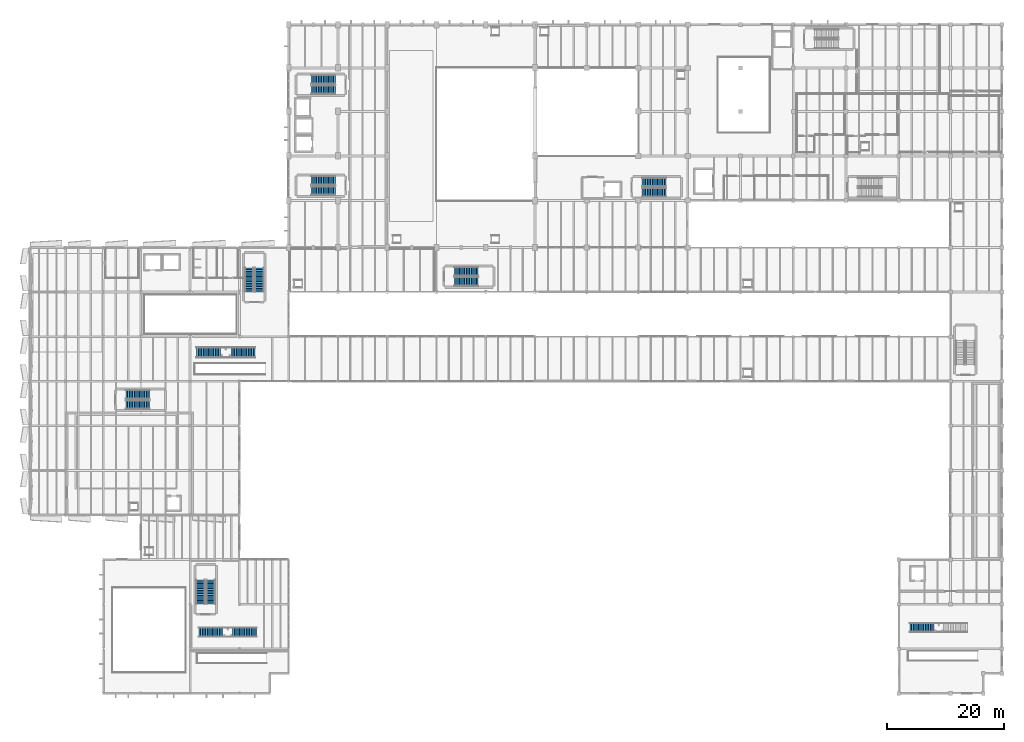
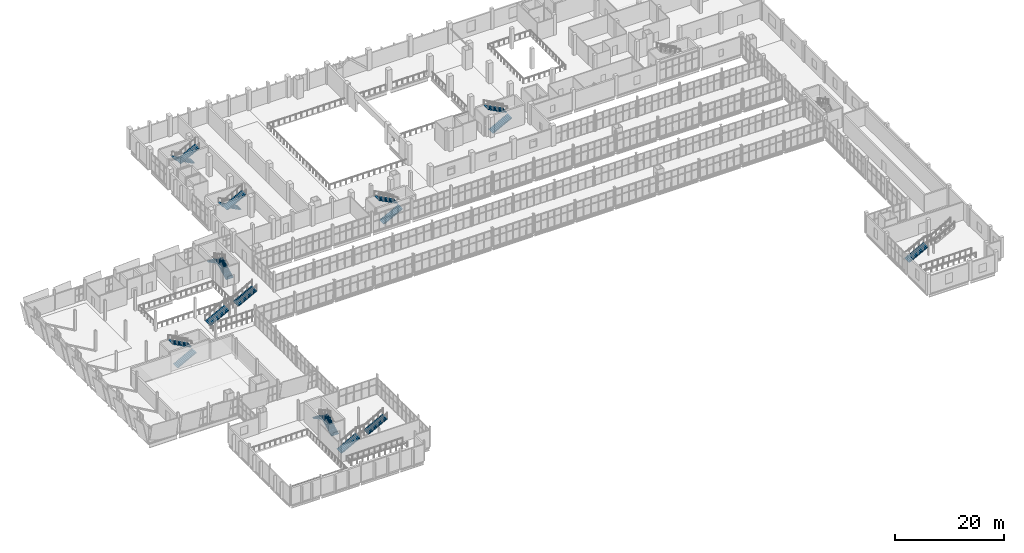
# One storey, part 159 of 172: 19 stair flights, 10 elements without a shape of their own.
"""IFC4 building model written with IfcOpenShell, lengths in metres."""

import ifcopenshell
import ifcopenshell.guid

model = None  # the IFC model being written
_history = None  # IfcOwnerHistory: only IFC2X3 demands one
_inside = {}  # id of a spatial element -> (the spatial element, [elements in it])
_under = {}  # id of a project, library or spatial element -> (it, [spatial elements below it])
_declared = {}  # id of a project -> (the project, [libraries it declares])
_typed = {}  # id of a type object -> (the type object, [elements of that type])
_made_of = {}  # id of a material, layer set ... -> (it, [elements and type objects made of it])


def new_model(schema):
    """Start an empty IFC model of exactly this schema.

    Asked for "IFC4X3", IfcOpenShell would pick the latest addendum, in which some entities
    have other attributes; the version numbers below select the first issue.
    IFC2X3 requires an IfcOwnerHistory on every rooted entity: one is made here for all.
    """
    global model, _history
    if schema == "IFC4X3":
        model = ifcopenshell.file(schema_version=(4, 3, 0, 0))
    else:
        model = ifcopenshell.file(schema=schema)
    _inside.clear()
    _under.clear()
    _declared.clear()
    _typed.clear()
    _made_of.clear()
    _history = None
    if model.schema == "IFC2X3":
        org = make("IfcOrganization", Name="unknown")
        user = make(
            "IfcPersonAndOrganization",
            ThePerson=make("IfcPerson", FamilyName="unknown"),
            TheOrganization=org,
        )
        app = make(
            "IfcApplication",
            ApplicationDeveloper=org,
            Version="unknown",
            ApplicationFullName="unknown",
            ApplicationIdentifier="unknown",
        )
        _history = make(
            "IfcOwnerHistory",
            OwningUser=user,
            OwningApplication=app,
            ChangeAction="ADDED",
            CreationDate=0,
        )
    return model


def make(cls, **values):
    """One entity of the class cls with the attributes given. An attribute that is None is left unset."""
    return model.create_entity(
        cls, **{name: value for name, value in values.items() if value is not None}
    )


def rooted(cls, **values):
    """An entity with a GlobalId (a new one), such as an element, a storey or a relation."""
    return make(cls, GlobalId=ifcopenshell.guid.new(), OwnerHistory=_history, **values)


def si_unit(unit_type, name, prefix=None):
    """IfcSIUnit, for example si_unit("LENGTHUNIT", "METRE", prefix="MILLI")."""
    return make("IfcSIUnit", UnitType=unit_type, Prefix=prefix, Name=name)


def assignment(units):
    """IfcUnitAssignment: the units of a project."""
    return None if units is None else make("IfcUnitAssignment", Units=units)


def point(xyz):
    """IfcCartesianPoint."""
    return None if xyz is None else make("IfcCartesianPoint", Coordinates=xyz)


def direction(xyz):
    """IfcDirection."""
    return None if xyz is None else make("IfcDirection", DirectionRatios=xyz)


def frame(location, z_axis=None, x_axis=None):
    """IfcAxis2Placement3D, a coordinate frame: its origin and axes. An axis left out is left unset."""
    return make(
        "IfcAxis2Placement3D",
        Location=point(location),
        Axis=direction(z_axis),
        RefDirection=direction(x_axis),
    )


def origin():
    """The frame at (0, 0, 0) with its axes left unset."""
    return frame((0.0, 0.0, 0.0))


def place(relative_to, where):
    """IfcLocalPlacement: puts the frame where relative to a parent placement (None: the world)."""
    return make(
        "IfcLocalPlacement", PlacementRelTo=relative_to, RelativePlacement=where
    )


def context(
    kind, dimensions, precision=None, world=None, true_north=None, identifier=None
):
    """IfcGeometricRepresentationContext, for example the 3D "Model" context."""
    return make(
        "IfcGeometricRepresentationContext",
        ContextIdentifier=identifier,
        ContextType=kind,
        CoordinateSpaceDimension=dimensions,
        Precision=precision,
        WorldCoordinateSystem=world,
        TrueNorth=true_north,
    )


def subcontext(parent, identifier, kind, view, scale=None):
    """IfcGeometricRepresentationSubContext, for example "Body" below "Model"."""
    return make(
        "IfcGeometricRepresentationSubContext",
        ContextIdentifier=identifier,
        ContextType=kind,
        ParentContext=parent,
        TargetScale=scale,
        TargetView=view,
    )


def project(units=None, contexts=None):
    """IfcProject with its units and contexts."""
    return rooted(
        "IfcProject",
        Name="project",
        RepresentationContexts=contexts,
        UnitsInContext=assignment(units),
    )


def spatial(cls, under=None, at=None, **own):
    """A site, building, storey or space (cls), placed at a placement, below another one or the project."""
    s = rooted(cls, ObjectPlacement=at, **own)
    if under is not None:
        _under.setdefault(under.id(), (under, []))[1].append(s)
    return s


def polyline(points):
    """IfcPolyline through the points."""
    return make("IfcPolyline", Points=[point(p) for p in points])


def outline(outer, holes=None, kind="AREA"):
    """IfcArbitraryClosedProfileDef: a profile drawn as a closed curve; with holes, ...WithVoids."""
    if holes is None:
        return make("IfcArbitraryClosedProfileDef", ProfileType=kind, OuterCurve=outer)
    return make(
        "IfcArbitraryProfileDefWithVoids",
        ProfileType=kind,
        OuterCurve=outer,
        InnerCurves=holes,
    )


def extrude(swept, where, along, depth):
    """IfcExtrudedAreaSolid: the profile swept, set in the frame where, extruded along a direction by depth."""
    return make(
        "IfcExtrudedAreaSolid",
        SweptArea=swept,
        Position=where,
        ExtrudedDirection=direction(along),
        Depth=depth,
    )


def shape(context_of_items, identifier, shape_type, items):
    """IfcShapeRepresentation: the items that make up one representation, for example the "Body"."""
    return make(
        "IfcShapeRepresentation",
        ContextOfItems=context_of_items,
        RepresentationIdentifier=identifier,
        RepresentationType=shape_type,
        Items=items,
    )


def material(Name=None, Category=None):
    """IfcMaterial."""
    return make("IfcMaterial", Name=Name, Category=Category)


def layer(
    of_material, thickness, ventilated=None, Name=None, Category=None, Priority=None
):
    """IfcMaterialLayer: one layer of a wall or slab, of a material (None: an air gap)."""
    return make(
        "IfcMaterialLayer",
        Material=of_material,
        LayerThickness=thickness,
        IsVentilated=ventilated,
        Name=Name,
        Category=Category,
        Priority=Priority,
    )


def layer_set(layers, Name=None):
    """IfcMaterialLayerSet."""
    return make("IfcMaterialLayerSet", MaterialLayers=layers, LayerSetName=Name)


def made_of(thing, what):
    """Note that an element or type object is made of a material, layer set ...; save() writes the relation."""
    if what is not None:
        _made_of.setdefault(what.id(), (what, []))[1].append(thing)
    return thing


def type_object(cls, material=None, **own):
    """A type object (cls), such as IfcWallType, which elements share."""
    return made_of(rooted(cls, **own), material)


def element(
    cls,
    number,
    at=None,
    inside=None,
    cuts=None,
    type_object=None,
    material=None,
    context=None,
    identifier="Body",
    shape_type=None,
    held_by="IfcProductDefinitionShape",
    body=None,
    shapes=None,
    **own,
):
    """One element of the class cls, such as IfcWall. Its Tag is "e" and its number.

    at: its placement. inside: the storey or other place that contains it. cuts: it is an
    opening in that element (IfcRelVoidsElement). A single representation is given by context,
    identifier, shape_type and body (its items); several are given by shapes. held_by: the class
    of the entity that holds the representations. save() writes the other relations.
    """
    e = rooted(cls, Tag="e%d" % number, ObjectPlacement=at, **own)
    if body is not None:
        shapes = [shape(context, identifier, shape_type, body)]
    if shapes is not None:
        e.Representation = make(held_by, Representations=shapes)
    if inside is not None:
        _inside.setdefault(inside.id(), (inside, []))[1].append(e)
    if cuts is not None:
        rooted(
            "IfcRelVoidsElement", RelatingBuildingElement=cuts, RelatedOpeningElement=e
        )
    if type_object is not None:
        _typed.setdefault(type_object.id(), (type_object, []))[1].append(e)
    return made_of(e, material)


def aggregate(whole, parts):
    """IfcRelAggregates: a whole, such as a stair, and the parts it consists of."""
    return rooted("IfcRelAggregates", RelatingObject=whole, RelatedObjects=parts)


def save(model, path):
    """Write the relations noted so far, then the file.

    IfcRelAggregates (storeys below a building ...), IfcRelContainedInSpatialStructure (elements
    in a storey), IfcRelDefinesByType, IfcRelAssociatesMaterial and IfcRelDeclares: one each for
    every whole, place, type object, material and project.
    """
    for whole, parts in _under.values():
        aggregate(whole, parts)
    for where, things in _inside.values():
        rooted(
            "IfcRelContainedInSpatialStructure",
            RelatedElements=things,
            RelatingStructure=where,
        )
    for kind, things in _typed.values():
        rooted("IfcRelDefinesByType", RelatedObjects=things, RelatingType=kind)
    for what, things in _made_of.values():
        rooted("IfcRelAssociatesMaterial", RelatedObjects=things, RelatingMaterial=what)
    for by, libraries in _declared.values():
        rooted("IfcRelDeclares", RelatingContext=by, RelatedDefinitions=libraries)
    model.write(path)


model = new_model("IFC4")

# Units and contexts
model_context = context("Model", 3, precision=1e-05, world=origin(), true_north=direction((0.0, 1.0)))
body_context = subcontext(model_context, "Body", "Model", "MODEL_VIEW")
ifc_project = project(units=[si_unit("LENGTHUNIT", "METRE"), si_unit("AREAUNIT", "SQUARE_METRE"), si_unit("VOLUMEUNIT", "CUBIC_METRE"), si_unit("PLANEANGLEUNIT", "RADIAN"), si_unit("MASSUNIT", "GRAM", prefix="KILO")], contexts=[model_context])

# Site, building, storey
site_placement = place(None, origin())
site = spatial("IfcSite", under=ifc_project, at=site_placement, CompositionType="ELEMENT")
building_placement = place(site_placement, origin())
building = spatial("IfcBuilding", under=site, at=building_placement, Name="Shengluoqiao Park Theatre", CompositionType="ELEMENT")
storey_placement = place(building_placement, frame((0.0, 0.0, 5.39990234375)))
storey = spatial("IfcBuildingStorey", under=building, at=storey_placement, Name="L01", CompositionType="ELEMENT", Elevation=5.39990234375)

# Stair, stair flights
ifc_material_1 = material(Name="Concrete C40", Category="concrete")
stair_type_1 = type_object("IfcStairType", Name="INT-STR-CORE", PredefinedType="HALF_TURN_STAIR", material=ifc_material_1)
stair_1_placement = place(storey_placement, origin())
stair_1 = element("IfcStair", 1, at=stair_1_placement, inside=storey, type_object=stair_type_1, Name="L01 West Foyer Escape Stair 01", PredefinedType="HALF_TURN_STAIR")
ifc_layer_1 = layer(ifc_material_1, 0.159912109375, Name="Concrete C40")
ifc_layer_set_1 = layer_set([ifc_layer_1], Name="Concrete C40")
stair_flight_type_1 = type_object("IfcStairFlightType", Name="INT-SFL-156", PredefinedType="STRAIGHT", material=ifc_layer_set_1)
stair_flight_1_placement = place(storey_placement, frame((39.419921875, 68.449951171875, 0.0), z_axis=(0.0, 0.0, 1.0), x_axis=(0.0, 1.0, 0.0)))
stair_flight_1 = element("IfcStairFlight", 2, at=stair_flight_1_placement, type_object=stair_flight_type_1, Name="ST-01 flight 1", NumberOfRisers=15, NumberOfTreads=14, PredefinedType="STRAIGHT", RiserHeight=0.153333333, TreadLength=0.29, context=body_context, shape_type="SweptSolid", body=[
    extrude(outline(polyline([(0.0, 0.0), (0.0, 0.1533203125), (0.2900390625, 0.1533203125), (0.2900390625, 0.306640625), (0.580078125, 0.306640625), (0.580078125, 0.4599609375), (0.8701171875, 0.4599609375), (0.8701171875, 0.61328125), (1.159912109375, 0.61328125), (1.159912109375, 0.7666015625), (1.449951171875, 0.7666015625), (1.449951171875, 0.919921875), (1.739990234375, 0.919921875), (1.739990234375, 1.0732421875), (2.030029296875, 1.0732421875), (2.030029296875, 1.2265625), (2.320068359375, 1.2265625), (2.320068359375, 1.3798828125), (2.610107421875, 1.3798828125), (2.610107421875, 1.533447265625), (2.89990234375, 1.533447265625), (2.89990234375, 1.686767578125), (3.18994140625, 1.686767578125), (3.18994140625, 1.840087890625), (3.47998046875, 1.840087890625), (3.47998046875, 1.993408203125), (3.77001953125, 1.993408203125), (3.77001953125, 2.146728515625), (4.06005859375, 2.146728515625), (4.06005859375, 2.300048828125), (4.06005859375, 1.97705078125), (0.32080078125, 0.0), (0.0, 0.0)])), frame((0.0, 0.780029296875, 0.0), z_axis=(0.0, -1.0, 0.0), x_axis=(1.0, 0.0, 0.0)), (0.0, 0.0, 1.0), 1.56005859375),
])
stair_flight_2_placement = place(storey_placement, frame((37.679931640625, 72.510009765625, 2.300048828125), z_axis=(0.0, 0.0, 1.0), x_axis=(0.0, -1.0, 0.0)))
stair_flight_2 = element("IfcStairFlight", 3, at=stair_flight_2_placement, type_object=stair_flight_type_1, Name="ST-01 flight 2", NumberOfRisers=15, NumberOfTreads=14, PredefinedType="STRAIGHT", RiserHeight=0.153333333, TreadLength=0.29, context=body_context, shape_type="SweptSolid", body=[
    extrude(outline(polyline([(0.0, 0.0), (0.0, 0.1533203125), (0.2900390625, 0.1533203125), (0.2900390625, 0.306640625), (0.580078125, 0.306640625), (0.580078125, 0.4599609375), (0.8701171875, 0.4599609375), (0.8701171875, 0.61328125), (1.159912109375, 0.61328125), (1.159912109375, 0.7666015625), (1.449951171875, 0.7666015625), (1.449951171875, 0.919921875), (1.739990234375, 0.919921875), (1.739990234375, 1.0732421875), (2.030029296875, 1.0732421875), (2.030029296875, 1.2265625), (2.320068359375, 1.2265625), (2.320068359375, 1.3798828125), (2.610107421875, 1.3798828125), (2.610107421875, 1.533447265625), (2.89990234375, 1.533447265625), (2.89990234375, 1.686767578125), (3.18994140625, 1.686767578125), (3.18994140625, 1.840087890625), (3.47998046875, 1.840087890625), (3.47998046875, 1.993408203125), (3.77001953125, 1.993408203125), (3.77001953125, 2.146728515625), (4.06005859375, 2.146728515625), (4.06005859375, 2.300048828125), (4.06005859375, 1.97705078125), (0.32080078125, 0.0), (0.0, 0.0)])), frame((0.0, 0.780029296875, 0.0), z_axis=(0.0, -1.0, 0.0), x_axis=(1.0, 0.0, 0.0)), (0.0, 0.0, 1.0), 1.56005859375),
])
aggregate(stair_1, [stair_flight_1, stair_flight_2])

stair_2_placement = place(storey_placement, origin())
stair_2 = element("IfcStair", 4, at=stair_2_placement, inside=storey, type_object=stair_type_1, Name="L01 Auditorium South-West Escape Stair 02", PredefinedType="HALF_TURN_STAIR")
stair_flight_3_placement = place(storey_placement, frame((52.35009765625, 87.419921875, 0.0), z_axis=(0.0, 0.0, 1.0), x_axis=(-1.0, 0.0, 0.0)))
stair_flight_3 = element("IfcStairFlight", 5, at=stair_flight_3_placement, type_object=stair_flight_type_1, Name="ST-02 flight 1", NumberOfRisers=15, NumberOfTreads=14, PredefinedType="STRAIGHT", RiserHeight=0.153333333, TreadLength=0.29, context=body_context, shape_type="SweptSolid", body=[
    extrude(outline(polyline([(0.0, 0.0), (0.0, 0.1533203125), (0.2900390625, 0.1533203125), (0.2900390625, 0.306640625), (0.580078125, 0.306640625), (0.580078125, 0.4599609375), (0.8701171875, 0.4599609375), (0.8701171875, 0.61328125), (1.159912109375, 0.61328125), (1.159912109375, 0.7666015625), (1.449951171875, 0.7666015625), (1.449951171875, 0.919921875), (1.739990234375, 0.919921875), (1.739990234375, 1.0732421875), (2.030029296875, 1.0732421875), (2.030029296875, 1.2265625), (2.320068359375, 1.2265625), (2.320068359375, 1.3798828125), (2.610107421875, 1.3798828125), (2.610107421875, 1.533447265625), (2.89990234375, 1.533447265625), (2.89990234375, 1.686767578125), (3.18994140625, 1.686767578125), (3.18994140625, 1.840087890625), (3.47998046875, 1.840087890625), (3.47998046875, 1.993408203125), (3.77001953125, 1.993408203125), (3.77001953125, 2.146728515625), (4.06005859375, 2.146728515625), (4.06005859375, 2.300048828125), (4.06005859375, 1.97705078125), (0.32080078125, 0.0), (0.0, 0.0)])), frame((0.0, 0.780029296875, 0.0), z_axis=(0.0, -1.0, 0.0), x_axis=(1.0, 0.0, 0.0)), (0.0, 0.0, 1.0), 1.56005859375),
])
stair_flight_4_placement = place(storey_placement, frame((48.2900390625, 85.679931640625, 2.300048828125), z_axis=(0.0, 0.0, 1.0), x_axis=(1.0, 0.0, 0.0)))
stair_flight_4 = element("IfcStairFlight", 6, at=stair_flight_4_placement, type_object=stair_flight_type_1, Name="ST-02 flight 2", NumberOfRisers=15, NumberOfTreads=14, PredefinedType="STRAIGHT", RiserHeight=0.153333333, TreadLength=0.29, context=body_context, shape_type="SweptSolid", body=[
    extrude(outline(polyline([(0.0, 0.0), (0.0, 0.1533203125), (0.2900390625, 0.1533203125), (0.2900390625, 0.306640625), (0.580078125, 0.306640625), (0.580078125, 0.4599609375), (0.8701171875, 0.4599609375), (0.8701171875, 0.61328125), (1.159912109375, 0.61328125), (1.159912109375, 0.7666015625), (1.449951171875, 0.7666015625), (1.449951171875, 0.919921875), (1.739990234375, 0.919921875), (1.739990234375, 1.0732421875), (2.030029296875, 1.0732421875), (2.030029296875, 1.2265625), (2.320068359375, 1.2265625), (2.320068359375, 1.3798828125), (2.610107421875, 1.3798828125), (2.610107421875, 1.533447265625), (2.89990234375, 1.533447265625), (2.89990234375, 1.686767578125), (3.18994140625, 1.686767578125), (3.18994140625, 1.840087890625), (3.47998046875, 1.840087890625), (3.47998046875, 1.993408203125), (3.77001953125, 1.993408203125), (3.77001953125, 2.146728515625), (4.06005859375, 2.146728515625), (4.06005859375, 2.300048828125), (4.06005859375, 1.97705078125), (0.32080078125, 0.0), (0.0, 0.0)])), frame((0.0, 0.780029296875, 0.0), z_axis=(0.0, -1.0, 0.0), x_axis=(1.0, 0.0, 0.0)), (0.0, 0.0, 1.0), 1.56005859375),
])
aggregate(stair_2, [stair_flight_3, stair_flight_4])

stair_3_placement = place(storey_placement, origin())
stair_3 = element("IfcStair", 7, at=stair_3_placement, inside=storey, type_object=stair_type_1, Name="L01 Auditorium North-West Escape Stair 03", PredefinedType="HALF_TURN_STAIR")
stair_flight_5_placement = place(storey_placement, frame((52.35009765625, 104.6201171875, 0.0), z_axis=(0.0, 0.0, 1.0), x_axis=(-1.0, 0.0, 0.0)))
stair_flight_5 = element("IfcStairFlight", 8, at=stair_flight_5_placement, type_object=stair_flight_type_1, Name="ST-03 flight 1", NumberOfRisers=15, NumberOfTreads=14, PredefinedType="STRAIGHT", RiserHeight=0.153333333, TreadLength=0.29, context=body_context, shape_type="SweptSolid", body=[
    extrude(outline(polyline([(0.0, 0.0), (0.0, 0.1533203125), (0.2900390625, 0.1533203125), (0.2900390625, 0.306640625), (0.580078125, 0.306640625), (0.580078125, 0.4599609375), (0.8701171875, 0.4599609375), (0.8701171875, 0.61328125), (1.159912109375, 0.61328125), (1.159912109375, 0.7666015625), (1.449951171875, 0.7666015625), (1.449951171875, 0.919921875), (1.739990234375, 0.919921875), (1.739990234375, 1.0732421875), (2.030029296875, 1.0732421875), (2.030029296875, 1.2265625), (2.320068359375, 1.2265625), (2.320068359375, 1.3798828125), (2.610107421875, 1.3798828125), (2.610107421875, 1.533447265625), (2.89990234375, 1.533447265625), (2.89990234375, 1.686767578125), (3.18994140625, 1.686767578125), (3.18994140625, 1.840087890625), (3.47998046875, 1.840087890625), (3.47998046875, 1.993408203125), (3.77001953125, 1.993408203125), (3.77001953125, 2.146728515625), (4.06005859375, 2.146728515625), (4.06005859375, 2.300048828125), (4.06005859375, 1.97705078125), (0.32080078125, 0.0), (0.0, 0.0)])), frame((0.0, 0.780029296875, 0.0), z_axis=(0.0, -1.0, 0.0), x_axis=(1.0, 0.0, 0.0)), (0.0, 0.0, 1.0), 1.56005859375),
])
stair_flight_6_placement = place(storey_placement, frame((48.2900390625, 102.8798828125, 2.300048828125), z_axis=(0.0, 0.0, 1.0), x_axis=(1.0, 0.0, 0.0)))
stair_flight_6 = element("IfcStairFlight", 9, at=stair_flight_6_placement, type_object=stair_flight_type_1, Name="ST-03 flight 2", NumberOfRisers=15, NumberOfTreads=14, PredefinedType="STRAIGHT", RiserHeight=0.153333333, TreadLength=0.29, context=body_context, shape_type="SweptSolid", body=[
    extrude(outline(polyline([(0.0, 0.0), (0.0, 0.1533203125), (0.2900390625, 0.1533203125), (0.2900390625, 0.306640625), (0.580078125, 0.306640625), (0.580078125, 0.4599609375), (0.8701171875, 0.4599609375), (0.8701171875, 0.61328125), (1.159912109375, 0.61328125), (1.159912109375, 0.7666015625), (1.449951171875, 0.7666015625), (1.449951171875, 0.919921875), (1.739990234375, 0.919921875), (1.739990234375, 1.0732421875), (2.030029296875, 1.0732421875), (2.030029296875, 1.2265625), (2.320068359375, 1.2265625), (2.320068359375, 1.3798828125), (2.610107421875, 1.3798828125), (2.610107421875, 1.533447265625), (2.89990234375, 1.533447265625), (2.89990234375, 1.686767578125), (3.18994140625, 1.686767578125), (3.18994140625, 1.840087890625), (3.47998046875, 1.840087890625), (3.47998046875, 1.993408203125), (3.77001953125, 1.993408203125), (3.77001953125, 2.146728515625), (4.06005859375, 2.146728515625), (4.06005859375, 2.300048828125), (4.06005859375, 1.97705078125), (0.32080078125, 0.0), (0.0, 0.0)])), frame((0.0, 0.780029296875, 0.0), z_axis=(0.0, -1.0, 0.0), x_axis=(1.0, 0.0, 0.0)), (0.0, 0.0, 1.0), 1.56005859375),
])
aggregate(stair_3, [stair_flight_5, stair_flight_6])

stair_4_placement = place(storey_placement, origin())
stair_4 = element("IfcStair", 10, at=stair_4_placement, inside=storey, type_object=stair_type_1, Name="L01 Studio and Black-Box Escape Stair 04", PredefinedType="HALF_TURN_STAIR")
stair_flight_7_placement = place(storey_placement, frame((31.1201171875, 15.25, 0.0), z_axis=(0.0, 0.0, 1.0), x_axis=(0.0, 1.0, 0.0)))
stair_flight_7 = element("IfcStairFlight", 11, at=stair_flight_7_placement, type_object=stair_flight_type_1, Name="ST-04 flight 1", NumberOfRisers=15, NumberOfTreads=14, PredefinedType="STRAIGHT", RiserHeight=0.153333333, TreadLength=0.29, context=body_context, shape_type="SweptSolid", body=[
    extrude(outline(polyline([(0.0, 0.0), (0.0, 0.1533203125), (0.2900390625, 0.1533203125), (0.2900390625, 0.306640625), (0.580078125, 0.306640625), (0.580078125, 0.4599609375), (0.8701171875, 0.4599609375), (0.8701171875, 0.61328125), (1.159912109375, 0.61328125), (1.159912109375, 0.7666015625), (1.449951171875, 0.7666015625), (1.449951171875, 0.919921875), (1.739990234375, 0.919921875), (1.739990234375, 1.0732421875), (2.030029296875, 1.0732421875), (2.030029296875, 1.2265625), (2.320068359375, 1.2265625), (2.320068359375, 1.3798828125), (2.610107421875, 1.3798828125), (2.610107421875, 1.533447265625), (2.89990234375, 1.533447265625), (2.89990234375, 1.686767578125), (3.18994140625, 1.686767578125), (3.18994140625, 1.840087890625), (3.47998046875, 1.840087890625), (3.47998046875, 1.993408203125), (3.77001953125, 1.993408203125), (3.77001953125, 2.146728515625), (4.06005859375, 2.146728515625), (4.06005859375, 2.300048828125), (4.06005859375, 1.97705078125), (0.32080078125, 0.0), (0.0, 0.0)])), frame((0.0, 0.780029296875, 0.0), z_axis=(0.0, -1.0, 0.0), x_axis=(1.0, 0.0, 0.0)), (0.0, 0.0, 1.0), 1.56005859375),
])
stair_flight_8_placement = place(storey_placement, frame((29.3798828125, 19.31005859375, 2.300048828125), z_axis=(0.0, 0.0, 1.0), x_axis=(0.0, -1.0, 0.0)))
stair_flight_8 = element("IfcStairFlight", 12, at=stair_flight_8_placement, type_object=stair_flight_type_1, Name="ST-04 flight 2", NumberOfRisers=15, NumberOfTreads=14, PredefinedType="STRAIGHT", RiserHeight=0.153333333, TreadLength=0.29, context=body_context, shape_type="SweptSolid", body=[
    extrude(outline(polyline([(0.0, 0.0), (0.0, 0.1533203125), (0.2900390625, 0.1533203125), (0.2900390625, 0.306640625), (0.580078125, 0.306640625), (0.580078125, 0.4599609375), (0.8701171875, 0.4599609375), (0.8701171875, 0.61328125), (1.159912109375, 0.61328125), (1.159912109375, 0.7666015625), (1.449951171875, 0.7666015625), (1.449951171875, 0.919921875), (1.739990234375, 0.919921875), (1.739990234375, 1.0732421875), (2.030029296875, 1.0732421875), (2.030029296875, 1.2265625), (2.320068359375, 1.2265625), (2.320068359375, 1.3798828125), (2.610107421875, 1.3798828125), (2.610107421875, 1.533447265625), (2.89990234375, 1.533447265625), (2.89990234375, 1.686767578125), (3.18994140625, 1.686767578125), (3.18994140625, 1.840087890625), (3.47998046875, 1.840087890625), (3.47998046875, 1.993408203125), (3.77001953125, 1.993408203125), (3.77001953125, 2.146728515625), (4.06005859375, 2.146728515625), (4.06005859375, 2.300048828125), (4.06005859375, 1.97705078125), (0.32080078125, 0.0), (0.0, 0.0)])), frame((0.0, 0.780029296875, 0.0), z_axis=(0.0, -1.0, 0.0), x_axis=(1.0, 0.0, 0.0)), (0.0, 0.0, 1.0), 1.56005859375),
])
aggregate(stair_4, [stair_flight_7, stair_flight_8])

stair_5_placement = place(storey_placement, origin())
stair_5 = element("IfcStair", 13, at=stair_5_placement, inside=storey, type_object=stair_type_1, Name="L01 Stage and Fly Tower Escape Stair 05", PredefinedType="HALF_TURN_STAIR")
stair_flight_9_placement = place(storey_placement, frame((104.64990234375, 85.3798828125, 0.0), z_axis=(0.0, 0.0, 1.0), x_axis=(1.0, 0.0, 0.0)))
stair_flight_9 = element("IfcStairFlight", 14, at=stair_flight_9_placement, type_object=stair_flight_type_1, Name="ST-05 flight 1", NumberOfRisers=15, NumberOfTreads=14, PredefinedType="STRAIGHT", RiserHeight=0.153333333, TreadLength=0.29, context=body_context, shape_type="SweptSolid", body=[
    extrude(outline(polyline([(0.0, 0.0), (0.0, 0.1533203125), (0.2900390625, 0.1533203125), (0.2900390625, 0.306640625), (0.580078125, 0.306640625), (0.580078125, 0.4599609375), (0.8701171875, 0.4599609375), (0.8701171875, 0.61328125), (1.159912109375, 0.61328125), (1.159912109375, 0.7666015625), (1.449951171875, 0.7666015625), (1.449951171875, 0.919921875), (1.739990234375, 0.919921875), (1.739990234375, 1.0732421875), (2.030029296875, 1.0732421875), (2.030029296875, 1.2265625), (2.320068359375, 1.2265625), (2.320068359375, 1.3798828125), (2.610107421875, 1.3798828125), (2.610107421875, 1.533447265625), (2.89990234375, 1.533447265625), (2.89990234375, 1.686767578125), (3.18994140625, 1.686767578125), (3.18994140625, 1.840087890625), (3.47998046875, 1.840087890625), (3.47998046875, 1.993408203125), (3.77001953125, 1.993408203125), (3.77001953125, 2.146728515625), (4.06005859375, 2.146728515625), (4.06005859375, 2.300048828125), (4.06005859375, 1.97705078125), (0.32080078125, 0.0), (0.0, 0.0)])), frame((0.0, 0.780029296875, 0.0), z_axis=(0.0, -1.0, 0.0), x_axis=(1.0, 0.0, 0.0)), (0.0, 0.0, 1.0), 1.56005859375),
])
stair_flight_10_placement = place(storey_placement, frame((108.7099609375, 87.1201171875, 2.300048828125), z_axis=(0.0, 0.0, 1.0), x_axis=(-1.0, 0.0, 0.0)))
stair_flight_10 = element("IfcStairFlight", 15, at=stair_flight_10_placement, type_object=stair_flight_type_1, Name="ST-05 flight 2", NumberOfRisers=15, NumberOfTreads=14, PredefinedType="STRAIGHT", RiserHeight=0.153333333, TreadLength=0.29, context=body_context, shape_type="SweptSolid", body=[
    extrude(outline(polyline([(0.0, 0.0), (0.0, 0.1533203125), (0.2900390625, 0.1533203125), (0.2900390625, 0.306640625), (0.580078125, 0.306640625), (0.580078125, 0.4599609375), (0.8701171875, 0.4599609375), (0.8701171875, 0.61328125), (1.159912109375, 0.61328125), (1.159912109375, 0.7666015625), (1.449951171875, 0.7666015625), (1.449951171875, 0.919921875), (1.739990234375, 0.919921875), (1.739990234375, 1.0732421875), (2.030029296875, 1.0732421875), (2.030029296875, 1.2265625), (2.320068359375, 1.2265625), (2.320068359375, 1.3798828125), (2.610107421875, 1.3798828125), (2.610107421875, 1.533447265625), (2.89990234375, 1.533447265625), (2.89990234375, 1.686767578125), (3.18994140625, 1.686767578125), (3.18994140625, 1.840087890625), (3.47998046875, 1.840087890625), (3.47998046875, 1.993408203125), (3.77001953125, 1.993408203125), (3.77001953125, 2.146728515625), (4.06005859375, 2.146728515625), (4.06005859375, 2.300048828125), (4.06005859375, 1.97705078125), (0.32080078125, 0.0), (0.0, 0.0)])), frame((0.0, 0.780029296875, 0.0), z_axis=(0.0, -1.0, 0.0), x_axis=(1.0, 0.0, 0.0)), (0.0, 0.0, 1.0), 1.56005859375),
])
aggregate(stair_5, [stair_flight_9, stair_flight_10])

stair_6_placement = place(storey_placement, origin())
stair_6 = element("IfcStair", 16, at=stair_6_placement, inside=storey, type_object=stair_type_1, Name="L01 South Promenade Escape Stair 11", PredefinedType="HALF_TURN_STAIR")
stair_flight_11_placement = place(storey_placement, frame((72.64990234375, 70.179931640625, 0.0), z_axis=(0.0, 0.0, 1.0), x_axis=(1.0, 0.0, 0.0)))
stair_flight_11 = element("IfcStairFlight", 17, at=stair_flight_11_placement, type_object=stair_flight_type_1, Name="ST-11 flight 1", NumberOfRisers=15, NumberOfTreads=14, PredefinedType="STRAIGHT", RiserHeight=0.153333333, TreadLength=0.29, context=body_context, shape_type="SweptSolid", body=[
    extrude(outline(polyline([(0.0, 0.0), (0.0, 0.1533203125), (0.2900390625, 0.1533203125), (0.2900390625, 0.306640625), (0.580078125, 0.306640625), (0.580078125, 0.4599609375), (0.8701171875, 0.4599609375), (0.8701171875, 0.61328125), (1.159912109375, 0.61328125), (1.159912109375, 0.7666015625), (1.449951171875, 0.7666015625), (1.449951171875, 0.919921875), (1.739990234375, 0.919921875), (1.739990234375, 1.0732421875), (2.030029296875, 1.0732421875), (2.030029296875, 1.2265625), (2.320068359375, 1.2265625), (2.320068359375, 1.3798828125), (2.610107421875, 1.3798828125), (2.610107421875, 1.533447265625), (2.89990234375, 1.533447265625), (2.89990234375, 1.686767578125), (3.18994140625, 1.686767578125), (3.18994140625, 1.840087890625), (3.47998046875, 1.840087890625), (3.47998046875, 1.993408203125), (3.77001953125, 1.993408203125), (3.77001953125, 2.146728515625), (4.06005859375, 2.146728515625), (4.06005859375, 2.300048828125), (4.06005859375, 1.97705078125), (0.32080078125, 0.0), (0.0, 0.0)])), frame((0.0, 0.780029296875, 0.0), z_axis=(0.0, -1.0, 0.0), x_axis=(1.0, 0.0, 0.0)), (0.0, 0.0, 1.0), 1.56005859375),
])
stair_flight_12_placement = place(storey_placement, frame((76.7099609375, 71.919921875, 2.300048828125), z_axis=(0.0, 0.0, 1.0), x_axis=(-1.0, 0.0, 0.0)))
stair_flight_12 = element("IfcStairFlight", 18, at=stair_flight_12_placement, type_object=stair_flight_type_1, Name="ST-11 flight 2", NumberOfRisers=15, NumberOfTreads=14, PredefinedType="STRAIGHT", RiserHeight=0.153333333, TreadLength=0.29, context=body_context, shape_type="SweptSolid", body=[
    extrude(outline(polyline([(0.0, 0.0), (0.0, 0.1533203125), (0.2900390625, 0.1533203125), (0.2900390625, 0.306640625), (0.580078125, 0.306640625), (0.580078125, 0.4599609375), (0.8701171875, 0.4599609375), (0.8701171875, 0.61328125), (1.159912109375, 0.61328125), (1.159912109375, 0.7666015625), (1.449951171875, 0.7666015625), (1.449951171875, 0.919921875), (1.739990234375, 0.919921875), (1.739990234375, 1.0732421875), (2.030029296875, 1.0732421875), (2.030029296875, 1.2265625), (2.320068359375, 1.2265625), (2.320068359375, 1.3798828125), (2.610107421875, 1.3798828125), (2.610107421875, 1.533447265625), (2.89990234375, 1.533447265625), (2.89990234375, 1.686767578125), (3.18994140625, 1.686767578125), (3.18994140625, 1.840087890625), (3.47998046875, 1.840087890625), (3.47998046875, 1.993408203125), (3.77001953125, 1.993408203125), (3.77001953125, 2.146728515625), (4.06005859375, 2.146728515625), (4.06005859375, 2.300048828125), (4.06005859375, 1.97705078125), (0.32080078125, 0.0), (0.0, 0.0)])), frame((0.0, 0.780029296875, 0.0), z_axis=(0.0, -1.0, 0.0), x_axis=(1.0, 0.0, 0.0)), (0.0, 0.0, 1.0), 1.56005859375),
])
aggregate(stair_6, [stair_flight_11, stair_flight_12])

stair_7_placement = place(storey_placement, origin())
stair_7 = element("IfcStair", 19, at=stair_7_placement, inside=storey, type_object=stair_type_1, Name="L01 Studio Crystal North Escape Stair 13", PredefinedType="HALF_TURN_STAIR")
stair_flight_13_placement = place(storey_placement, frame((16.64990234375, 49.179931640625, 0.0), z_axis=(0.0, 0.0, 1.0), x_axis=(1.0, 0.0, 0.0)))
stair_flight_13 = element("IfcStairFlight", 20, at=stair_flight_13_placement, type_object=stair_flight_type_1, Name="ST-13 flight 1", NumberOfRisers=15, NumberOfTreads=14, PredefinedType="STRAIGHT", RiserHeight=0.153333333, TreadLength=0.29, context=body_context, shape_type="SweptSolid", body=[
    extrude(outline(polyline([(0.0, 0.0), (0.0, 0.1533203125), (0.2900390625, 0.1533203125), (0.2900390625, 0.306640625), (0.580078125, 0.306640625), (0.580078125, 0.4599609375), (0.8701171875, 0.4599609375), (0.8701171875, 0.61328125), (1.159912109375, 0.61328125), (1.159912109375, 0.7666015625), (1.449951171875, 0.7666015625), (1.449951171875, 0.919921875), (1.739990234375, 0.919921875), (1.739990234375, 1.0732421875), (2.030029296875, 1.0732421875), (2.030029296875, 1.2265625), (2.320068359375, 1.2265625), (2.320068359375, 1.3798828125), (2.610107421875, 1.3798828125), (2.610107421875, 1.533447265625), (2.89990234375, 1.533447265625), (2.89990234375, 1.686767578125), (3.18994140625, 1.686767578125), (3.18994140625, 1.840087890625), (3.47998046875, 1.840087890625), (3.47998046875, 1.993408203125), (3.77001953125, 1.993408203125), (3.77001953125, 2.146728515625), (4.06005859375, 2.146728515625), (4.06005859375, 2.300048828125), (4.06005859375, 1.97705078125), (0.32080078125, 0.0), (0.0, 0.0)])), frame((0.0, 0.780029296875, 0.0), z_axis=(0.0, -1.0, 0.0), x_axis=(1.0, 0.0, 0.0)), (0.0, 0.0, 1.0), 1.56005859375),
])
stair_flight_14_placement = place(storey_placement, frame((20.7099609375, 50.919921875, 2.300048828125), z_axis=(0.0, 0.0, 1.0), x_axis=(-1.0, 0.0, 0.0)))
stair_flight_14 = element("IfcStairFlight", 21, at=stair_flight_14_placement, type_object=stair_flight_type_1, Name="ST-13 flight 2", NumberOfRisers=15, NumberOfTreads=14, PredefinedType="STRAIGHT", RiserHeight=0.153333333, TreadLength=0.29, context=body_context, shape_type="SweptSolid", body=[
    extrude(outline(polyline([(0.0, 0.0), (0.0, 0.1533203125), (0.2900390625, 0.1533203125), (0.2900390625, 0.306640625), (0.580078125, 0.306640625), (0.580078125, 0.4599609375), (0.8701171875, 0.4599609375), (0.8701171875, 0.61328125), (1.159912109375, 0.61328125), (1.159912109375, 0.7666015625), (1.449951171875, 0.7666015625), (1.449951171875, 0.919921875), (1.739990234375, 0.919921875), (1.739990234375, 1.0732421875), (2.030029296875, 1.0732421875), (2.030029296875, 1.2265625), (2.320068359375, 1.2265625), (2.320068359375, 1.3798828125), (2.610107421875, 1.3798828125), (2.610107421875, 1.533447265625), (2.89990234375, 1.533447265625), (2.89990234375, 1.686767578125), (3.18994140625, 1.686767578125), (3.18994140625, 1.840087890625), (3.47998046875, 1.840087890625), (3.47998046875, 1.993408203125), (3.77001953125, 1.993408203125), (3.77001953125, 2.146728515625), (4.06005859375, 2.146728515625), (4.06005859375, 2.300048828125), (4.06005859375, 1.97705078125), (0.32080078125, 0.0), (0.0, 0.0)])), frame((0.0, 0.780029296875, 0.0), z_axis=(0.0, -1.0, 0.0), x_axis=(1.0, 0.0, 0.0)), (0.0, 0.0, 1.0), 1.56005859375),
])
aggregate(stair_7, [stair_flight_13, stair_flight_14])

# Stair, stair flight
ifc_material_2 = material(Name="Steel Q355", Category="steel")
stair_type_2 = type_object("IfcStairType", Name="INT-STR-ST-F160", PredefinedType="STRAIGHT_RUN_STAIR", material=ifc_material_2)
stair_8_placement = place(storey_placement, origin())
stair_8 = element("IfcStair", 22, at=stair_8_placement, inside=storey, type_object=stair_type_2, Name="East Artist Wing Stair 09 Upper", PredefinedType="STRAIGHT_RUN_STAIR")
ifc_layer_2 = layer(ifc_material_2, 0.159912109375, Name="Steel Q355")
ifc_layer_set_2 = layer_set([ifc_layer_2], Name="Steel Q355")
stair_flight_type_2 = type_object("IfcStairFlightType", Name="INT-SFL-160", PredefinedType="STRAIGHT", material=ifc_layer_set_2)
stair_flight_15_placement = place(storey_placement, frame((150.300048828125, 11.199951171875, 0.0), z_axis=(0.0, 0.0, 1.0), x_axis=(1.0, 0.0, 0.0)))
stair_flight_15 = element("IfcStairFlight", 23, at=stair_flight_15_placement, type_object=stair_flight_type_2, Name="ST-09 flight 1", NumberOfRisers=15, NumberOfTreads=14, PredefinedType="STRAIGHT", RiserHeight=0.153333, TreadLength=0.29, context=body_context, shape_type="SweptSolid", body=[
    extrude(outline(polyline([(0.0, 0.0), (0.0, 0.1533203125), (0.2900390625, 0.1533203125), (0.2900390625, 0.306640625), (0.580078125, 0.306640625), (0.580078125, 0.4599609375), (0.8701171875, 0.4599609375), (0.8701171875, 0.61328125), (1.159912109375, 0.61328125), (1.159912109375, 0.7666015625), (1.449951171875, 0.7666015625), (1.449951171875, 0.919921875), (1.739990234375, 0.919921875), (1.739990234375, 1.0732421875), (2.030029296875, 1.0732421875), (2.030029296875, 1.2265625), (2.320068359375, 1.2265625), (2.320068359375, 1.3798828125), (2.610107421875, 1.3798828125), (2.610107421875, 1.533447265625), (2.89990234375, 1.533447265625), (2.89990234375, 1.686767578125), (3.18994140625, 1.686767578125), (3.18994140625, 1.840087890625), (3.47998046875, 1.840087890625), (3.47998046875, 1.993408203125), (3.77001953125, 1.993408203125), (3.77001953125, 2.146728515625), (4.06005859375, 2.146728515625), (4.06005859375, 2.300048828125), (4.06005859375, 1.954345703125), (0.363525390625, 0.0), (0.0, 0.0)])), frame((0.0, 0.800048828125, 0.0), z_axis=(0.0, -1.0, 0.0), x_axis=(1.0, 0.0, 0.0)), (0.0, 0.0, 1.0), 1.60009765625),
])
aggregate(stair_8, [stair_flight_15])

# Stair, stair flights
stair_type_3 = type_object("IfcStairType", Name="INT-STR-ST-F165", PredefinedType="STRAIGHT_RUN_STAIR", material=ifc_material_2)
stair_9_placement = place(storey_placement, origin())
stair_9 = element("IfcStair", 24, at=stair_9_placement, inside=storey, type_object=stair_type_3, Name="Park-Court Gallery Stair 08 Upper", PredefinedType="STRAIGHT_RUN_STAIR")
ifc_layer_3 = layer(ifc_material_2, 0.169921875, Name="Steel Q355")
ifc_layer_set_3 = layer_set([ifc_layer_3], Name="Steel Q355")
stair_flight_type_3 = type_object("IfcStairFlightType", Name="INT-SFL-165", PredefinedType="STRAIGHT", material=ifc_layer_set_3)
stair_flight_16_placement = place(storey_placement, frame((29.10009765625, 10.425048828125, 0.0), z_axis=(0.0, 0.0, 1.0), x_axis=(1.0, 0.0, 0.0)))
stair_flight_16 = element("IfcStairFlight", 25, at=stair_flight_16_placement, type_object=stair_flight_type_3, Name="ST-08 flight 1", NumberOfRisers=15, NumberOfTreads=14, PredefinedType="STRAIGHT", RiserHeight=0.153333, TreadLength=0.29, context=body_context, shape_type="SweptSolid", body=[
    extrude(outline(polyline([(0.0, 0.0), (0.0, 0.1533203125), (0.2900390625, 0.1533203125), (0.2900390625, 0.306640625), (0.580078125, 0.306640625), (0.580078125, 0.4599609375), (0.8701171875, 0.4599609375), (0.8701171875, 0.61328125), (1.159912109375, 0.61328125), (1.159912109375, 0.7666015625), (1.449951171875, 0.7666015625), (1.449951171875, 0.919921875), (1.739990234375, 0.919921875), (1.739990234375, 1.0732421875), (2.030029296875, 1.0732421875), (2.030029296875, 1.2265625), (2.320068359375, 1.2265625), (2.320068359375, 1.3798828125), (2.610107421875, 1.3798828125), (2.610107421875, 1.533447265625), (2.89990234375, 1.533447265625), (2.89990234375, 1.686767578125), (3.18994140625, 1.686767578125), (3.18994140625, 1.840087890625), (3.47998046875, 1.840087890625), (3.47998046875, 1.993408203125), (3.77001953125, 1.993408203125), (3.77001953125, 2.146728515625), (4.06005859375, 2.146728515625), (4.06005859375, 2.300048828125), (4.06005859375, 1.954345703125), (0.363525390625, 0.0), (0.0, 0.0)])), frame((0.0, 0.824951171875, 0.0), z_axis=(0.0, -1.0, 0.0), x_axis=(1.0, 0.0, 0.0)), (0.0, 0.0, 1.0), 1.64990234375),
])
stair_flight_17_placement = place(storey_placement, frame((34.860107421875, 10.425048828125, 2.300048828125), z_axis=(0.0, 0.0, 1.0), x_axis=(1.0, 0.0, 0.0)))
stair_flight_17 = element("IfcStairFlight", 26, at=stair_flight_17_placement, type_object=stair_flight_type_3, Name="ST-08 flight 2", NumberOfRisers=15, NumberOfTreads=14, PredefinedType="STRAIGHT", RiserHeight=0.153333, TreadLength=0.29, context=body_context, shape_type="SweptSolid", body=[
    extrude(outline(polyline([(0.0, 0.0), (0.0, 0.1533203125), (0.2900390625, 0.1533203125), (0.2900390625, 0.306640625), (0.580078125, 0.306640625), (0.580078125, 0.4599609375), (0.8701171875, 0.4599609375), (0.8701171875, 0.61328125), (1.159912109375, 0.61328125), (1.159912109375, 0.7666015625), (1.449951171875, 0.7666015625), (1.449951171875, 0.919921875), (1.739990234375, 0.919921875), (1.739990234375, 1.0732421875), (2.030029296875, 1.0732421875), (2.030029296875, 1.2265625), (2.320068359375, 1.2265625), (2.320068359375, 1.3798828125), (2.610107421875, 1.3798828125), (2.610107421875, 1.533447265625), (2.89990234375, 1.533447265625), (2.89990234375, 1.686767578125), (3.18994140625, 1.686767578125), (3.18994140625, 1.840087890625), (3.47998046875, 1.840087890625), (3.47998046875, 1.993408203125), (3.77001953125, 1.993408203125), (3.77001953125, 2.146728515625), (4.06005859375, 2.146728515625), (4.06005859375, 2.300048828125), (4.06005859375, 1.954345703125), (0.363525390625, 0.0), (0.0, 0.0)])), frame((0.0, 0.824951171875, 0.0), z_axis=(0.0, -1.0, 0.0), x_axis=(1.0, 0.0, 0.0)), (0.0, 0.0, 1.0), 1.64990234375),
])
aggregate(stair_9, [stair_flight_16, stair_flight_17])

stair_type_4 = type_object("IfcStairType", Name="INT-STR-ST-F180", PredefinedType="STRAIGHT_RUN_STAIR", material=ifc_material_2)
stair_10_placement = place(storey_placement, origin())
stair_10 = element("IfcStair", 27, at=stair_10_placement, inside=storey, type_object=stair_type_4, Name="Main Foyer Feature Stair 07 Upper", PredefinedType="STRAIGHT_RUN_STAIR")
ifc_layer_4 = layer(ifc_material_2, 0.179931640625, Name="Steel Q355")
ifc_layer_set_4 = layer_set([ifc_layer_4], Name="Steel Q355")
stair_flight_type_4 = type_object("IfcStairFlightType", Name="INT-SFL-180", PredefinedType="STRAIGHT", material=ifc_layer_set_4)
stair_flight_18_placement = place(storey_placement, frame((28.699951171875, 58.10009765625, 0.0), z_axis=(0.0, 0.0, 1.0), x_axis=(1.0, 0.0, 0.0)))
stair_flight_18 = element("IfcStairFlight", 28, at=stair_flight_18_placement, type_object=stair_flight_type_4, Name="ST-07 flight 1", NumberOfRisers=15, NumberOfTreads=14, PredefinedType="STRAIGHT", RiserHeight=0.153333, TreadLength=0.29, context=body_context, shape_type="SweptSolid", body=[
    extrude(outline(polyline([(0.0, 0.0), (0.0, 0.1533203125), (0.2900390625, 0.1533203125), (0.2900390625, 0.306640625), (0.580078125, 0.306640625), (0.580078125, 0.4599609375), (0.8701171875, 0.4599609375), (0.8701171875, 0.61328125), (1.159912109375, 0.61328125), (1.159912109375, 0.7666015625), (1.449951171875, 0.7666015625), (1.449951171875, 0.919921875), (1.739990234375, 0.919921875), (1.739990234375, 1.0732421875), (2.030029296875, 1.0732421875), (2.030029296875, 1.2265625), (2.320068359375, 1.2265625), (2.320068359375, 1.3798828125), (2.610107421875, 1.3798828125), (2.610107421875, 1.533447265625), (2.89990234375, 1.533447265625), (2.89990234375, 1.686767578125), (3.18994140625, 1.686767578125), (3.18994140625, 1.840087890625), (3.47998046875, 1.840087890625), (3.47998046875, 1.993408203125), (3.77001953125, 1.993408203125), (3.77001953125, 2.146728515625), (4.06005859375, 2.146728515625), (4.06005859375, 2.300048828125), (4.06005859375, 1.954345703125), (0.363525390625, 0.0), (0.0, 0.0)])), frame((0.0, 0.89990234375, 0.0), z_axis=(0.0, -1.0, 0.0), x_axis=(1.0, 0.0, 0.0)), (0.0, 0.0, 1.0), 1.800048828125),
])
stair_flight_19_placement = place(storey_placement, frame((34.610107421875, 58.10009765625, 2.300048828125), z_axis=(0.0, 0.0, 1.0), x_axis=(1.0, 0.0, 0.0)))
stair_flight_19 = element("IfcStairFlight", 29, at=stair_flight_19_placement, type_object=stair_flight_type_4, Name="ST-07 flight 2", NumberOfRisers=15, NumberOfTreads=14, PredefinedType="STRAIGHT", RiserHeight=0.153333, TreadLength=0.29, context=body_context, shape_type="SweptSolid", body=[
    extrude(outline(polyline([(0.0, 0.0), (0.0, 0.1533203125), (0.2900390625, 0.1533203125), (0.2900390625, 0.306640625), (0.580078125, 0.306640625), (0.580078125, 0.4599609375), (0.8701171875, 0.4599609375), (0.8701171875, 0.61328125), (1.159912109375, 0.61328125), (1.159912109375, 0.7666015625), (1.449951171875, 0.7666015625), (1.449951171875, 0.919921875), (1.739990234375, 0.919921875), (1.739990234375, 1.0732421875), (2.030029296875, 1.0732421875), (2.030029296875, 1.2265625), (2.320068359375, 1.2265625), (2.320068359375, 1.3798828125), (2.610107421875, 1.3798828125), (2.610107421875, 1.533447265625), (2.89990234375, 1.533447265625), (2.89990234375, 1.686767578125), (3.18994140625, 1.686767578125), (3.18994140625, 1.840087890625), (3.47998046875, 1.840087890625), (3.47998046875, 1.993408203125), (3.77001953125, 1.993408203125), (3.77001953125, 2.146728515625), (4.06005859375, 2.146728515625), (4.06005859375, 2.300048828125), (4.06005859375, 1.954345703125), (0.363525390625, 0.0), (0.0, 0.0)])), frame((0.0, 0.89990234375, 0.0), z_axis=(0.0, -1.0, 0.0), x_axis=(1.0, 0.0, 0.0)), (0.0, 0.0, 1.0), 1.800048828125),
])
aggregate(stair_10, [stair_flight_18, stair_flight_19])

save(model, "model.ifc")
